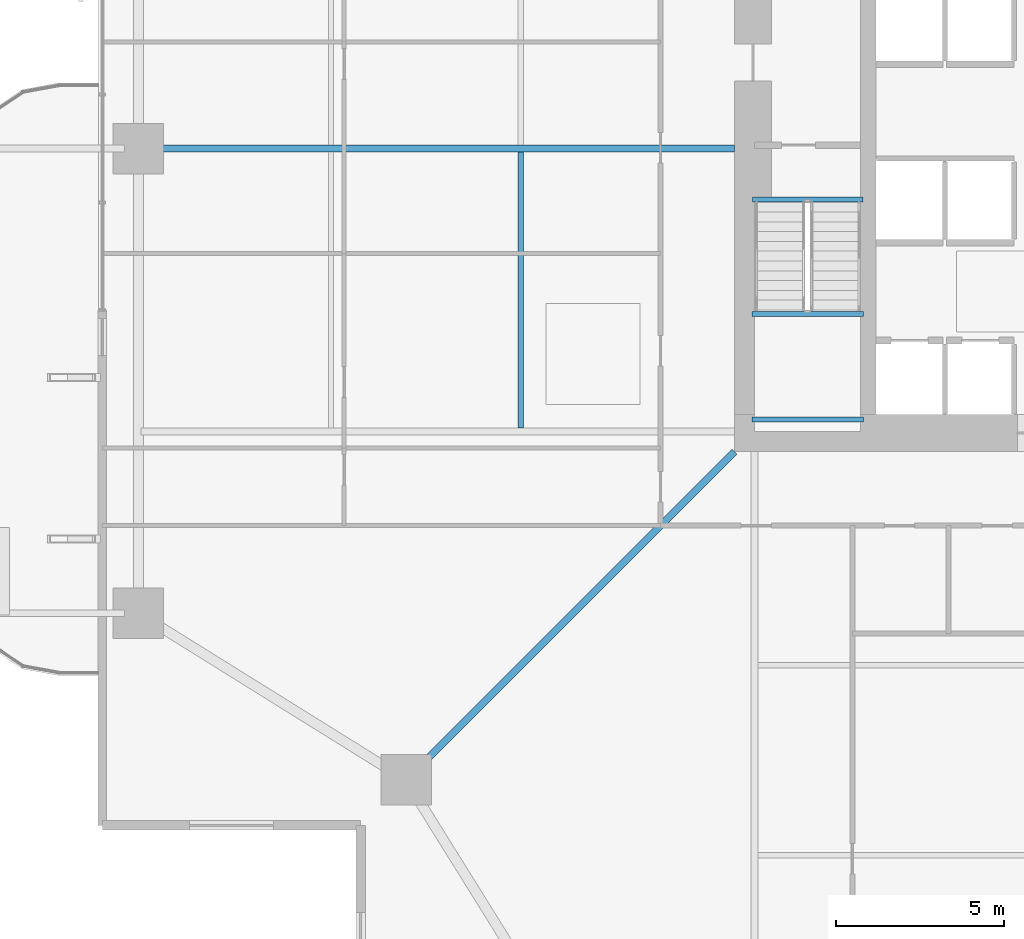
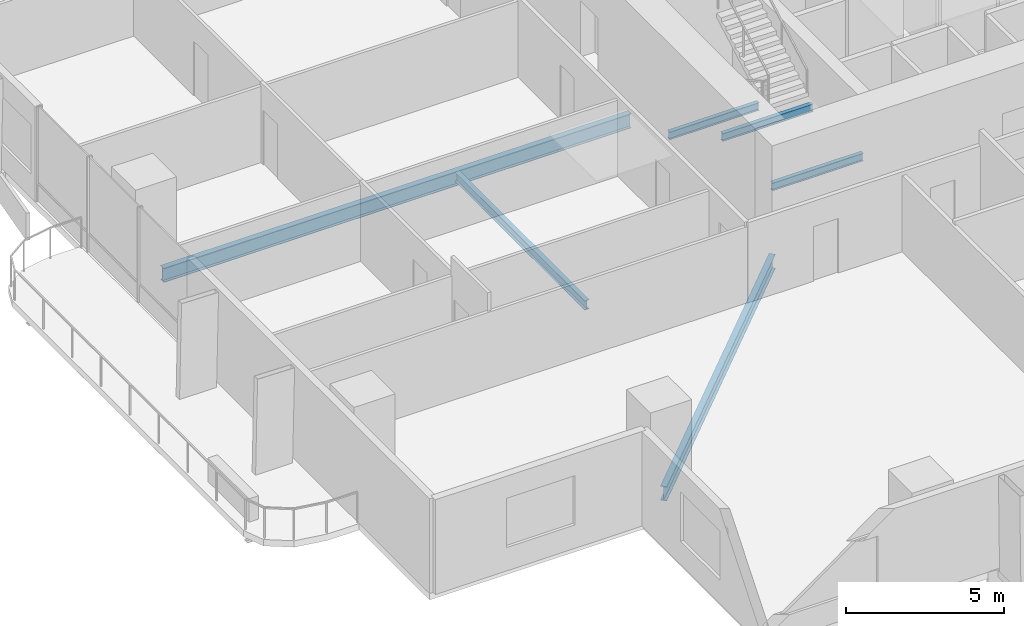
# One storey, part 5 of 24: 6 beams.
"""IFC4 building model written with IfcOpenShell, lengths in metres."""

from ifc_helpers import new_model, si_unit, direction, frame, origin, origin_2d, place, context, subcontext, project, spatial, i_section, extrude, material, material_profile, profile_set, type_object, element, save


model = new_model("IFC4")

# Units and contexts
model_context = context("Model", 3, precision=1e-05, world=origin(), true_north=direction((0.0, 1.0)))
body_context = subcontext(model_context, "Body", "Model", "MODEL_VIEW")
ifc_project = project(units=[si_unit("LENGTHUNIT", "METRE"), si_unit("AREAUNIT", "SQUARE_METRE"), si_unit("VOLUMEUNIT", "CUBIC_METRE"), si_unit("PLANEANGLEUNIT", "RADIAN"), si_unit("MASSUNIT", "GRAM", prefix="KILO")], contexts=[model_context])

# Site, building, storey
site_placement = place(None, origin())
site = spatial("IfcSite", under=ifc_project, at=site_placement, CompositionType="ELEMENT")
building_placement = place(site_placement, origin())
building = spatial("IfcBuilding", under=site, at=building_placement, Name="Belovzor Exchange Tower", CompositionType="ELEMENT")
storey_placement = place(building_placement, frame((0.0, 0.0, 80.699951171875)))
storey = spatial("IfcBuildingStorey", under=building, at=storey_placement, Name="L19", CompositionType="ELEMENT", Elevation=80.699951171875)

# Beams
ifc_material_1 = material(Name="Steel S355", Category="steel")
ifc_material_profile_1 = material_profile(ifc_material_1, i_section(OverallWidth=0.169921875, OverallDepth=0.360107421875, WebThickness=0.008056640625, FlangeThickness=0.0126953125, at=origin_2d()))
ifc_profile_set_1 = profile_set([ifc_material_profile_1], Name="Steel S355")
beam_type_1 = type_object("IfcBeamType", Name="Secondary Infill Floor Joist IPE 360", PredefinedType="BEAM", material=ifc_profile_set_1)
beam_1_placement = place(storey_placement, frame((13.455078125, 20.5048828125, -0.429931640625), z_axis=(0.0, 1.0, 0.0), x_axis=(-1.0, 0.0, 0.0)))
element("IfcBeam", 1, at=beam_1_placement, inside=storey, type_object=beam_type_1, Name="FJ-360 Secondary Infill Floor Joist IPE 360", PredefinedType="BEAM", context=body_context, shape_type="SweptSolid", body=[
    extrude(i_section(OverallWidth=0.169921875, OverallDepth=0.360107421875, WebThickness=0.008056640625, FlangeThickness=0.0126953125, at=origin_2d()), origin(), (0.0, 0.0, 1.0), 8.190185546875),
])
ifc_material_2 = material(Name="Steel S355", Category="steel")
ifc_material_profile_2 = material_profile(ifc_material_2, i_section(OverallWidth=0.14990234375, OverallDepth=0.300048828125, WebThickness=0.007080078125, FlangeThickness=0.0107421875, at=origin_2d()))
ifc_profile_set_2 = profile_set([ifc_material_profile_2], Name="Steel S355")
beam_type_2 = type_object("IfcBeamType", Name="Secondary Trim Floor Joist IPE 300", PredefinedType="BEAM", material=ifc_profile_set_2)
for number, where, z_axis, x_axis, name in (
    (2, (20.320068359375, 23.889892578125, 1.60009765625), (1.0, 0.0, 0.0), (0.0, 1.0, 0.0), "FJ-300 Secondary Trim Floor Joist IPE 300"),
    (3, (20.320068359375, 20.75, 1.60009765625), (1.0, 0.0, 0.0), (0.0, 1.0, 0.0), "FJ-300 Secondary Trim Floor Joist IPE 300"),
):
    element("IfcBeam", number, at=place(storey_placement, frame(where, z_axis=z_axis, x_axis=x_axis)), inside=storey, type_object=beam_type_2, Name=name, PredefinedType="BEAM", context=body_context, shape_type="SweptSolid", body=[
        extrude(i_section(OverallWidth=0.14990234375, OverallDepth=0.300048828125, WebThickness=0.007080078125, FlangeThickness=0.0107421875, at=origin_2d()), origin(), (0.0, 0.0, 1.0), 3.309814453125),
    ])
beam_2_placement = place(storey_placement, frame((20.340087890625, 27.280029296875, -0.39990234375), z_axis=(1.0, 0.0, 0.0), x_axis=(0.0, 1.0, 0.0)))
element("IfcBeam", 4, at=beam_2_placement, inside=storey, type_object=beam_type_2, Name="FJ-300 Secondary Trim Floor Joist IPE 300", PredefinedType="BEAM", context=body_context, shape_type="SweptSolid", body=[
    extrude(i_section(OverallWidth=0.14990234375, OverallDepth=0.300048828125, WebThickness=0.007080078125, FlangeThickness=0.0107421875, at=origin_2d()), origin(), (0.0, 0.0, 1.0), 3.27001953125),
])
ifc_material_3 = material(Name="Steel S355", Category="steel")
ifc_material_profile_3 = material_profile(ifc_material_3, i_section(OverallWidth=0.2099609375, OverallDepth=0.550048828125, WebThickness=0.010986328125, FlangeThickness=0.01708984375, at=origin_2d()))
ifc_profile_set_3 = profile_set([ifc_material_profile_3], Name="Steel S355")
beam_type_3 = type_object("IfcBeamType", Name="Zone 1 Radial Composite Floor Beam IPE 550", PredefinedType="BEAM", material=ifc_profile_set_3)
beam_3_placement = place(storey_placement, frame((19.800048828125, 28.800048828125, -0.52490234375), z_axis=(-1.0, 0.0, 0.0), x_axis=(0.0, -1.0, 0.0)))
element("IfcBeam", 5, at=beam_3_placement, inside=storey, type_object=beam_type_3, Name="FB-550 Zone 1 Radial Composite Floor Beam IPE 550", PredefinedType="BEAM", context=body_context, shape_type="SweptSolid", body=[
    extrude(i_section(OverallWidth=0.2099609375, OverallDepth=0.550048828125, WebThickness=0.010986328125, FlangeThickness=0.01708984375, at=origin_2d()), origin(), (0.0, 0.0, 1.0), 17.0400390625),
])
beam_4_placement = place(storey_placement, frame((19.800048828125, 19.800048828125, -0.52490234375), z_axis=(-0.707106781187, -0.707106781187, 0.0), x_axis=(0.707106781187, -0.707106781187, 0.0)))
element("IfcBeam", 6, at=beam_4_placement, inside=storey, type_object=beam_type_3, Name="FB-550 Zone 1 Radial Composite Floor Beam IPE 550", PredefinedType="BEAM", context=body_context, shape_type="SweptSolid", body=[
    extrude(i_section(OverallWidth=0.2099609375, OverallDepth=0.550048828125, WebThickness=0.010986328125, FlangeThickness=0.01708984375, at=origin_2d()), origin(), (0.0, 0.0, 1.0), 13.25830078125),
])

save(model, "model.ifc")
